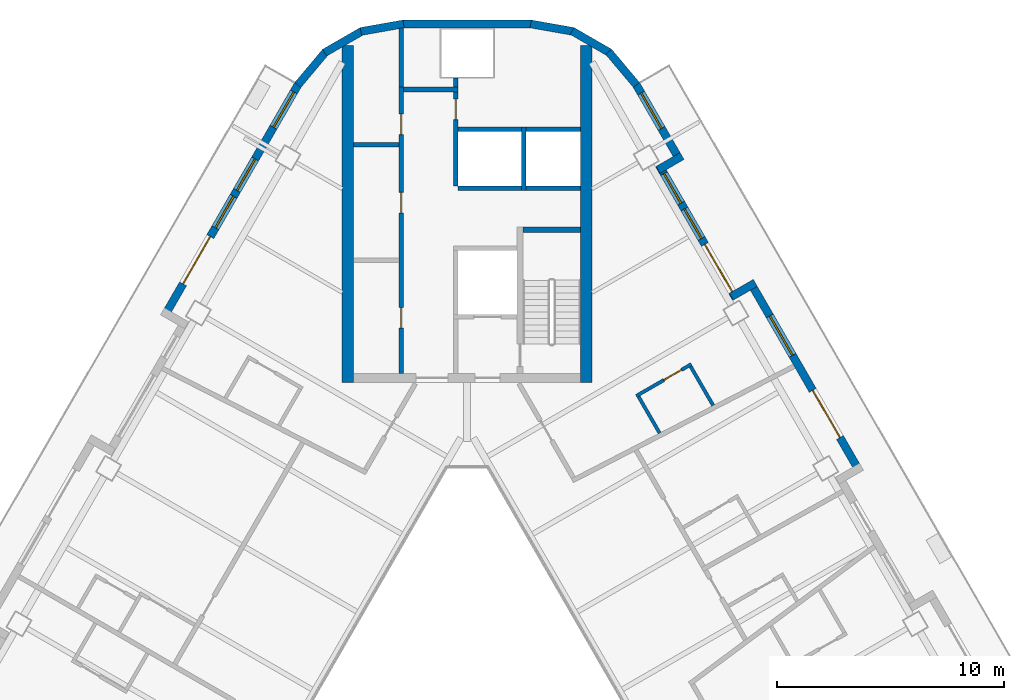
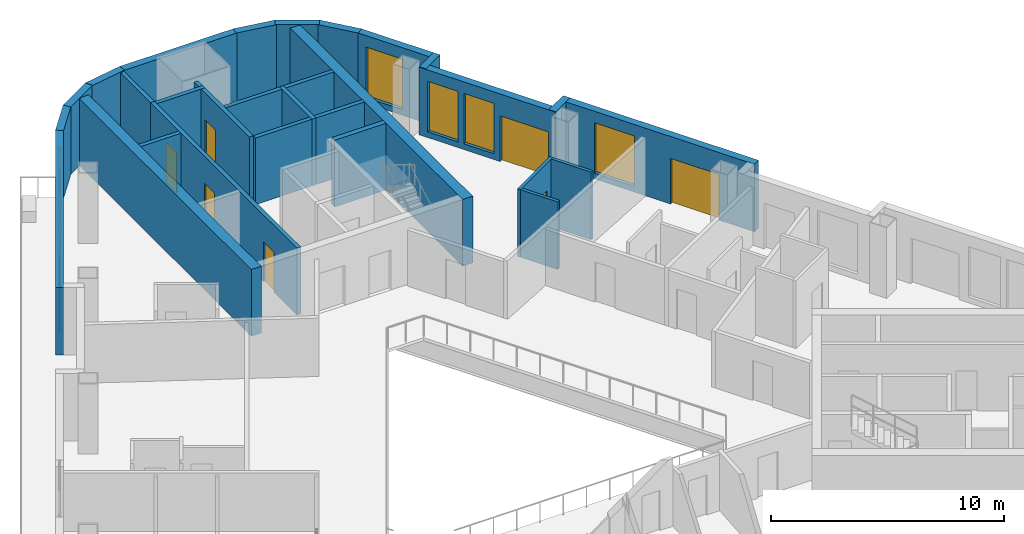
# One storey, part 7 of 14: 30 walls, 8 doors, 7 windows, 15 openings.
"""IFC4 building model written with IfcOpenShell, lengths in metres."""

from ifc_helpers import new_model, si_unit, direction, frame, frame_2d, origin, place, context, subcontext, project, spatial, rectangle, extrude, material, layer, layer_set, type_object, element, fill, save


model = new_model("IFC4")

# Units and contexts
model_context = context("Model", 3, precision=1e-05, world=origin(), true_north=direction((0.0, 1.0)))
body_context = subcontext(model_context, "Body", "Model", "MODEL_VIEW")
ifc_project = project(units=[si_unit("LENGTHUNIT", "METRE"), si_unit("AREAUNIT", "SQUARE_METRE"), si_unit("VOLUMEUNIT", "CUBIC_METRE"), si_unit("PLANEANGLEUNIT", "RADIAN"), si_unit("MASSUNIT", "GRAM", prefix="KILO")], contexts=[model_context])

# Site, building, storey
site_placement = place(None, origin())
site = spatial("IfcSite", under=ifc_project, at=site_placement, CompositionType="ELEMENT")
building_placement = place(site_placement, origin())
building = spatial("IfcBuilding", under=site, at=building_placement, Name="Apuvela Tower Hotel", CompositionType="ELEMENT")
storey_placement = place(building_placement, frame((0.0, 0.0, 172.5)))
storey = spatial("IfcBuildingStorey", under=building, at=storey_placement, Name="L41", CompositionType="ELEMENT", Elevation=172.5)

# Walls
ifc_material_1 = material(Name="Concrete C50/60", Category="concrete")
ifc_layer_1 = layer(ifc_material_1, 0.5)
ifc_layer_set_1 = layer_set([ifc_layer_1], Name="COR-WALL-CORE-500")
wall_type_1 = type_object("IfcWallType", Name="COR-WALL-CORE-500", PredefinedType="SHEAR", material=ifc_layer_set_1)
for number, where, z_axis, x_axis, name in (
    (1, (5.25, 12.89990234375, 0.0), (0.0, 0.0, 1.0), (0.0, 1.0, 0.0), "Core wall N"),
    (2, (-5.25, 12.89990234375, 0.0), (0.0, 0.0, 1.0), (0.0, 1.0, 0.0), "Core wall N"),
):
    element("IfcWall", number, at=place(storey_placement, frame(where, z_axis=z_axis, x_axis=x_axis)), inside=storey, type_object=wall_type_1, Name=name, PredefinedType="SHEAR", context=body_context, shape_type="SweptSolid", body=[
        extrude(rectangle(XDim=14.8369140625, YDim=0.5, at=frame_2d((7.41845703125, 0.0))), origin(), (0.0, 0.0, 1.0), 3.5),
    ])
ifc_material_2 = material(Name="Blockwork 200 mm plastered", Category="masonry")
ifc_layer_2 = layer(ifc_material_2, 0.199951171875)
ifc_layer_set_2 = layer_set([ifc_layer_2], Name="COR-WALL-PART-200")
wall_type_2 = type_object("IfcWallType", Name="COR-WALL-PART-200", PredefinedType="PARTITIONING", material=ifc_layer_set_2)
wall_1_placement = place(storey_placement, frame((5.0, 21.449951171875, 0.0), z_axis=(0.0, 0.0, 1.0), x_axis=(-1.0, 0.0, 0.0)))
element("IfcWall", 3, at=wall_1_placement, inside=storey, type_object=wall_type_2, Name="Partition N", PredefinedType="PARTITIONING", context=body_context, shape_type="SweptSolid", body=[
    extrude(rectangle(XDim=2.39990234375, YDim=0.199951171875, at=frame_2d((1.199951171875, 0.0))), origin(), (0.0, 0.0, 1.0), 3.5),
])
wall_2_placement = place(storey_placement, frame((2.39990234375, 21.449951171875, 0.0), z_axis=(0.0, 0.0, 1.0), x_axis=(-1.0, 0.0, 0.0)))
element("IfcWall", 4, at=wall_2_placement, inside=storey, type_object=wall_type_2, Name="Partition N", PredefinedType="PARTITIONING", context=body_context, shape_type="SweptSolid", body=[
    extrude(rectangle(XDim=2.7998046875, YDim=0.199951171875, at=frame_2d((1.39990234375, 0.0))), origin(), (0.0, 0.0, 1.0), 3.5),
])

# Wall, openings, doors
ifc_layer_3 = layer(ifc_material_1, 0.199951171875)
ifc_layer_set_3 = layer_set([ifc_layer_3], Name="COR-WALL-SHAFT-200")
wall_type_3 = type_object("IfcWallType", Name="COR-WALL-SHAFT-200", PredefinedType="SHEAR", material=ifc_layer_set_3)
wall_3_placement = place(storey_placement, frame((-2.89990234375, 13.300048828125, 0.0), z_axis=(0.0, 0.0, 1.0), x_axis=(0.0, 1.0, 0.0)))
wall_3 = element("IfcWall", 5, at=wall_3_placement, inside=storey, type_object=wall_type_3, Name="Shaft wall N", PredefinedType="SHEAR", context=body_context, shape_type="SweptSolid", body=[
    extrude(rectangle(XDim=12.599853515625, YDim=0.199951171875, at=frame_2d((6.2998046875, 0.0))), origin(), (0.0, 0.0, 1.0), 3.5),
])
opening_1_placement = place(wall_3_placement, frame((1.989990234375, 0.0, 0.0)))
opening_1 = element("IfcOpeningElement", 6, at=opening_1_placement, cuts=wall_3, Name="Opening N-RE1", PredefinedType="OPENING", context=body_context, shape_type="SweptSolid", body=[
    extrude(rectangle(XDim=0.89990234375, YDim=2.10009765625, at=frame_2d((0.449951171875, 1.050048828125))), frame((0.0, 0.10986328125, 0.0), z_axis=(0.0, -1.0, 0.0), x_axis=(1.0, 0.0, 0.0)), (0.0, 0.0, 1.0), 0.219970703125),
])
opening_2_placement = place(wall_3_placement, frame((7.070068359375, 0.0, 0.0)))
opening_2 = element("IfcOpeningElement", 7, at=opening_2_placement, cuts=wall_3, Name="Opening N-RE3", PredefinedType="OPENING", context=body_context, shape_type="SweptSolid", body=[
    extrude(rectangle(XDim=0.89990234375, YDim=2.10009765625, at=frame_2d((0.449951171875, 1.050048828125))), frame((0.0, 0.10986328125, 0.0), z_axis=(0.0, -1.0, 0.0), x_axis=(1.0, 0.0, 0.0)), (0.0, 0.0, 1.0), 0.219970703125),
])
opening_3_placement = place(wall_3_placement, frame((10.510009765625, 0.0, 0.0)))
opening_3 = element("IfcOpeningElement", 8, at=opening_3_placement, cuts=wall_3, Name="Opening N-REP", PredefinedType="OPENING", context=body_context, shape_type="SweptSolid", body=[
    extrude(rectangle(XDim=0.89990234375, YDim=2.10009765625, at=frame_2d((0.449951171875, 1.050048828125))), frame((0.0, 0.10986328125, 0.0), z_axis=(0.0, -1.0, 0.0), x_axis=(1.0, 0.0, 0.0)), (0.0, 0.0, 1.0), 0.219970703125),
])
ifc_material_3 = material(Name="Steel fire door, powder coated", Category="steel")
door_type_1 = type_object("IfcDoorType", Name="COR-DR-900", OperationType="NOTDEFINED", PredefinedType="DOOR", material=ifc_material_3)
door_1_placement = place(opening_1_placement, origin())
door_1 = element("IfcDoor", 9, at=door_1_placement, inside=storey, type_object=door_type_1, Name="Store door N-RE1", OperationType="SINGLE_SWING_LEFT", OverallHeight=2.10009765625, OverallWidth=0.89990234375, PredefinedType="DOOR", context=body_context, shape_type="SweptSolid", body=[
    extrude(rectangle(XDim=0.89990234375, YDim=2.10009765625, at=frame_2d((0.449951171875, 1.050048828125))), frame((0.0, 0.02490234375, 0.0), z_axis=(0.0, -1.0, 0.0), x_axis=(1.0, 0.0, 0.0)), (0.0, 0.0, 1.0), 0.050048828125),
])
fill(opening_1, door_1)
door_2_placement = place(opening_2_placement, origin())
door_2 = element("IfcDoor", 10, at=door_2_placement, inside=storey, type_object=door_type_1, Name="Store door N-RE3", OperationType="SINGLE_SWING_LEFT", OverallHeight=2.10009765625, OverallWidth=0.89990234375, PredefinedType="DOOR", context=body_context, shape_type="SweptSolid", body=[
    extrude(rectangle(XDim=0.89990234375, YDim=2.10009765625, at=frame_2d((0.449951171875, 1.050048828125))), frame((0.0, 0.02490234375, 0.0), z_axis=(0.0, -1.0, 0.0), x_axis=(1.0, 0.0, 0.0)), (0.0, 0.0, 1.0), 0.050048828125),
])
fill(opening_2, door_2)
door_3_placement = place(opening_3_placement, origin())
door_3 = element("IfcDoor", 11, at=door_3_placement, inside=storey, type_object=door_type_1, Name="Store door N-REP", OperationType="SINGLE_SWING_RIGHT", OverallHeight=2.10009765625, OverallWidth=0.89990234375, PredefinedType="DOOR", context=body_context, shape_type="SweptSolid", body=[
    extrude(rectangle(XDim=0.89990234375, YDim=2.10009765625, at=frame_2d((0.449951171875, 1.050048828125))), frame((0.0, 0.02490234375, 0.0), z_axis=(0.0, -1.0, 0.0), x_axis=(1.0, 0.0, 0.0)), (0.0, 0.0, 1.0), 0.050048828125),
])
fill(opening_3, door_3)

# Wall
wall_4_placement = place(storey_placement, frame((-0.39990234375, 25.800048828125, 0.0), z_axis=(0.0, 0.0, 1.0), x_axis=(-1.0, 0.0, 0.0)))
element("IfcWall", 12, at=wall_4_placement, inside=storey, type_object=wall_type_3, Name="Shaft wall N", PredefinedType="SHEAR", context=body_context, shape_type="SweptSolid", body=[
    extrude(rectangle(XDim=2.400146484375, YDim=0.199951171875, at=frame_2d((1.2001953125, 0.0))), origin(), (0.0, 0.0, 1.0), 3.5),
])

# Wall, opening, door
wall_5_placement = place(storey_placement, frame((-0.5, 21.550048828125, 0.0), z_axis=(0.0, 0.0, 1.0), x_axis=(0.0, 1.0, 0.0)))
wall_5 = element("IfcWall", 13, at=wall_5_placement, inside=storey, type_object=wall_type_3, Name="Shaft wall N", PredefinedType="SHEAR", context=body_context, shape_type="SweptSolid", body=[
    extrude(rectangle(XDim=4.14990234375, YDim=0.199951171875, at=frame_2d((2.074951171875, 0.0))), origin(), (0.0, 0.0, 1.0), 3.5),
])
opening_4_placement = place(wall_5_placement, frame((2.925048828125, 0.0, 0.0)))
opening_4 = element("IfcOpeningElement", 14, at=opening_4_placement, cuts=wall_5, Name="Opening N-RSP", PredefinedType="OPENING", context=body_context, shape_type="SweptSolid", body=[
    extrude(rectangle(XDim=0.89990234375, YDim=2.10009765625, at=frame_2d((0.449951171875, 1.050048828125))), frame((0.0, 0.10986328125, 0.0), z_axis=(0.0, -1.0, 0.0), x_axis=(1.0, 0.0, 0.0)), (0.0, 0.0, 1.0), 0.219970703125),
])
door_4_placement = place(opening_4_placement, frame((0.89990234375, 0.0, 0.0), z_axis=(0.0, 0.0, 1.0), x_axis=(-1.0, 0.0, 0.0)))
door_4 = element("IfcDoor", 15, at=door_4_placement, inside=storey, type_object=door_type_1, Name="Store door N-RSP", OperationType="SINGLE_SWING_LEFT", OverallHeight=2.10009765625, OverallWidth=0.89990234375, PredefinedType="DOOR", context=body_context, shape_type="SweptSolid", body=[
    extrude(rectangle(XDim=0.89990234375, YDim=2.10009765625, at=frame_2d((0.449951171875, 1.050048828125))), frame((0.0, 0.02490234375, 0.0), z_axis=(0.0, -1.0, 0.0), x_axis=(1.0, 0.0, 0.0)), (0.0, 0.0, 1.0), 0.050048828125),
])
fill(opening_4, door_4)

# Walls
wall_6_placement = place(storey_placement, frame((-3.0, 23.360107421875, 0.0), z_axis=(0.0, 0.0, 1.0), x_axis=(-1.0, 0.0, 0.0)))
element("IfcWall", 16, at=wall_6_placement, inside=storey, type_object=wall_type_3, Name="Shaft wall N", PredefinedType="SHEAR", context=body_context, shape_type="SweptSolid", body=[
    extrude(rectangle(XDim=2.0, YDim=0.199951171875, at=frame_2d((1.0, 0.0))), origin(), (0.0, 0.0, 1.0), 3.5),
])
wall_7_placement = place(storey_placement, frame((-0.5, 25.89990234375, 0.0), z_axis=(0.0, 0.0, 1.0), x_axis=(0.0, 1.0, 0.0)))
element("IfcWall", 17, at=wall_7_placement, inside=storey, type_object=wall_type_3, Name="Shaft wall N", PredefinedType="SHEAR", context=body_context, shape_type="SweptSolid", body=[
    extrude(rectangle(XDim=0.400146484375, YDim=0.199951171875, at=frame_2d((0.2001953125, 0.0))), origin(), (0.0, 0.0, 1.0), 3.5),
])
wall_8_placement = place(storey_placement, frame((-2.89990234375, 25.89990234375, 0.0), z_axis=(0.0, 0.0, 1.0), x_axis=(0.0, 1.0, 0.0)))
element("IfcWall", 18, at=wall_8_placement, inside=storey, type_object=wall_type_3, Name="Shaft wall N", PredefinedType="SHEAR", context=body_context, shape_type="SweptSolid", body=[
    extrude(rectangle(XDim=2.60009765625, YDim=0.199951171875, at=frame_2d((1.300048828125, 0.0))), origin(), (0.0, 0.0, 1.0), 3.5),
])
wall_9_placement = place(storey_placement, frame((2.5, 21.35009765625, 0.0), z_axis=(0.0, 0.0, 1.0), x_axis=(0.0, 1.0, 0.0)))
element("IfcWall", 19, at=wall_9_placement, inside=storey, type_object=wall_type_3, Name="Shaft wall N", PredefinedType="SHEAR", context=body_context, shape_type="SweptSolid", body=[
    extrude(rectangle(XDim=2.7998046875, YDim=0.199951171875, at=frame_2d((1.39990234375, 0.0))), origin(), (0.0, 0.0, 1.0), 3.5),
])
wall_10_placement = place(storey_placement, frame((5.0, 24.050048828125, 0.0), z_axis=(0.0, 0.0, 1.0), x_axis=(-1.0, 0.0, 0.0)))
element("IfcWall", 20, at=wall_10_placement, inside=storey, type_object=wall_type_3, Name="Shaft wall N", PredefinedType="SHEAR", context=body_context, shape_type="SweptSolid", body=[
    extrude(rectangle(XDim=2.39990234375, YDim=0.199951171875, at=frame_2d((1.199951171875, 0.0))), origin(), (0.0, 0.0, 1.0), 3.5),
])
wall_11_placement = place(storey_placement, frame((2.39990234375, 24.050048828125, 0.0), z_axis=(0.0, 0.0, 1.0), x_axis=(-1.0, 0.0, 0.0)))
element("IfcWall", 21, at=wall_11_placement, inside=storey, type_object=wall_type_3, Name="Shaft wall N", PredefinedType="SHEAR", context=body_context, shape_type="SweptSolid", body=[
    extrude(rectangle(XDim=2.7998046875, YDim=0.199951171875, at=frame_2d((1.39990234375, 0.0))), origin(), (0.0, 0.0, 1.0), 3.5),
])
ifc_layer_4 = layer(ifc_material_1, 0.25)
ifc_layer_set_4 = layer_set([ifc_layer_4], Name="COR-WALL-STAIR-250")
wall_type_4 = type_object("IfcWallType", Name="COR-WALL-STAIR-250", PredefinedType="SHEAR", material=ifc_layer_set_4)
wall_12_placement = place(storey_placement, frame((5.0, 19.625, 0.0), z_axis=(0.0, 0.0, 1.0), x_axis=(-1.0, 0.0, 0.0)))
element("IfcWall", 22, at=wall_12_placement, inside=storey, type_object=wall_type_4, Name="Stair wall N", PredefinedType="SHEAR", context=body_context, shape_type="SweptSolid", body=[
    extrude(rectangle(XDim=2.550048828125, YDim=0.25, at=frame_2d((1.27490234375, 0.0))), origin(), (0.0, 0.0, 1.0), 3.5),
])

# Wall, openings, door, windows
ifc_material_4 = material(Name="Concrete C40/50, dark pigmented precast panel", Category="concrete")
ifc_layer_5 = layer(ifc_material_4, 0.35009765625)
ifc_layer_set_5 = layer_set([ifc_layer_5], Name="ENV-WALL-350")
wall_type_5 = type_object("IfcWallType", Name="ENV-WALL-350", PredefinedType="SOLIDWALL", material=ifc_layer_set_5)
wall_13_placement = place(storey_placement, frame((-7.440673828125, 26.0224609375, 0.0), z_axis=(0.0, 0.0, 1.0), x_axis=(-0.499992533062, -0.86602971478, 0.0)))
wall_13 = element("IfcWall", 23, at=wall_13_placement, inside=storey, type_object=wall_type_5, Name="External wall L41-01", PredefinedType="SOLIDWALL", context=body_context, shape_type="SweptSolid", body=[
    extrude(rectangle(XDim=11.815673828125, YDim=0.35009765625, at=frame_2d((5.90771484375, 0.0))), origin(), (0.0, 0.0, 1.0), 3.550048828125),
])
opening_5_placement = place(wall_13_placement, frame((0.381103515625, 0.0, 0.300048828125)))
opening_5 = element("IfcOpeningElement", 24, at=opening_5_placement, cuts=wall_13, Name="Opening WN18", PredefinedType="OPENING", context=body_context, shape_type="SweptSolid", body=[
    extrude(rectangle(XDim=1.800048828125, YDim=2.64990234375, at=frame_2d((0.89990234375, 1.324951171875))), frame((0.0, 0.18505859375, 0.0), z_axis=(0.0, -1.0, 0.0), x_axis=(1.0, 0.0, 0.0)), (0.0, 0.0, 1.0), 0.3701171875),
])
opening_6_placement = place(wall_13_placement, frame((7.740478515625, 0.0, 0.0)))
opening_6 = element("IfcOpeningElement", 25, at=opening_6_placement, cuts=wall_13, Name="Opening BD24", PredefinedType="OPENING", context=body_context, shape_type="SweptSolid", body=[
    extrude(rectangle(XDim=2.39990234375, YDim=2.39990234375, at=frame_2d((1.199951171875, 1.199951171875))), frame((0.0, 0.18505859375, 0.0), z_axis=(0.0, -1.0, 0.0), x_axis=(1.0, 0.0, 0.0)), (0.0, 0.0, 1.0), 0.3701171875),
])
opening_7_placement = place(wall_13_placement, frame((3.791015625, 0.0, 0.300048828125)))
opening_7 = element("IfcOpeningElement", 26, at=opening_7_placement, cuts=wall_13, Name="Opening WN16", PredefinedType="OPENING", context=body_context, shape_type="SweptSolid", body=[
    extrude(rectangle(XDim=1.60009765625, YDim=2.64990234375, at=frame_2d((0.800048828125, 1.324951171875))), frame((0.0, 0.18505859375, 0.0), z_axis=(0.0, -1.0, 0.0), x_axis=(1.0, 0.0, 0.0)), (0.0, 0.0, 1.0), 0.3701171875),
])
opening_8_placement = place(wall_13_placement, frame((5.69091796875, 0.0, 0.300048828125)))
opening_8 = element("IfcOpeningElement", 27, at=opening_8_placement, cuts=wall_13, Name="Opening WN16", PredefinedType="OPENING", context=body_context, shape_type="SweptSolid", body=[
    extrude(rectangle(XDim=1.60009765625, YDim=2.64990234375, at=frame_2d((0.800048828125, 1.324951171875))), frame((0.0, 0.18505859375, 0.0), z_axis=(0.0, -1.0, 0.0), x_axis=(1.0, 0.0, 0.0)), (0.0, 0.0, 1.0), 0.3701171875),
])
ifc_material_5 = material(Name="Aluminium 6063-T6, dark bronze anodised frame with dark tinted laminated glass", Category="aluminium")
door_type_2 = type_object("IfcDoorType", Name="ENV-DOOR-BALCONY-2400x2400", OperationType="SLIDING_TO_LEFT", PredefinedType="DOOR", material=ifc_material_5)
door_5_placement = place(opening_6_placement, frame((2.39990234375, 0.0, 0.0), z_axis=(0.0, 0.0, 1.0), x_axis=(-1.0, 0.0, 0.0)))
door_5 = element("IfcDoor", 28, at=door_5_placement, inside=storey, type_object=door_type_2, Name="Balcony door BD24", OperationType="SLIDING_TO_LEFT", OverallHeight=2.39990234375, OverallWidth=2.39990234375, PredefinedType="DOOR", context=body_context, shape_type="SweptSolid", body=[
    extrude(rectangle(XDim=2.39990234375, YDim=2.39990234375, at=frame_2d((1.199951171875, 1.199951171875))), frame((0.0, 0.02490234375, 0.0), z_axis=(0.0, -1.0, 0.0), x_axis=(1.0, 0.0, 0.0)), (0.0, 0.0, 1.0), 0.050048828125),
])
fill(opening_6, door_5)
ifc_material_6 = material(Name="Glass, dark tinted laminated insulated glazing unit", Category="glass")
window_type_1 = type_object("IfcWindowType", Name="ENV-WIN-1600x2650", PartitioningType="SINGLE_PANEL", PredefinedType="WINDOW", material=ifc_material_6)
window_1_placement = place(opening_7_placement, origin())
window_1 = element("IfcWindow", 29, at=window_1_placement, inside=storey, type_object=window_type_1, Name="Window WN16", OverallHeight=2.64990234375, OverallWidth=1.60009765625, PartitioningType="SINGLE_PANEL", PredefinedType="WINDOW", context=body_context, shape_type="SweptSolid", body=[
    extrude(rectangle(XDim=1.60009765625, YDim=2.64990234375, at=frame_2d((0.800048828125, 1.324951171875))), frame((0.0, 0.030029296875, 0.0), z_axis=(0.0, -1.0, 0.0), x_axis=(1.0, 0.0, 0.0)), (0.0, 0.0, 1.0), 0.06005859375),
])
fill(opening_7, window_1)
window_2_placement = place(opening_8_placement, origin())
window_2 = element("IfcWindow", 30, at=window_2_placement, inside=storey, type_object=window_type_1, Name="Window WN16", OverallHeight=2.64990234375, OverallWidth=1.60009765625, PartitioningType="SINGLE_PANEL", PredefinedType="WINDOW", context=body_context, shape_type="SweptSolid", body=[
    extrude(rectangle(XDim=1.60009765625, YDim=2.64990234375, at=frame_2d((0.800048828125, 1.324951171875))), frame((0.0, 0.030029296875, 0.0), z_axis=(0.0, -1.0, 0.0), x_axis=(1.0, 0.0, 0.0)), (0.0, 0.0, 1.0), 0.06005859375),
])
fill(opening_8, window_2)
window_type_2 = type_object("IfcWindowType", Name="ENV-WIN-1800x2650", PartitioningType="SINGLE_PANEL", PredefinedType="WINDOW", material=ifc_material_6)
window_3_placement = place(opening_5_placement, origin())
window_3 = element("IfcWindow", 31, at=window_3_placement, inside=storey, type_object=window_type_2, Name="Window WN18", OverallHeight=2.64990234375, OverallWidth=1.800048828125, PartitioningType="SINGLE_PANEL", PredefinedType="WINDOW", context=body_context, shape_type="SweptSolid", body=[
    extrude(rectangle(XDim=1.800048828125, YDim=2.64990234375, at=frame_2d((0.89990234375, 1.324951171875))), frame((0.0, 0.030029296875, 0.0), z_axis=(0.0, -1.0, 0.0), x_axis=(1.0, 0.0, 0.0)), (0.0, 0.0, 1.0), 0.06005859375),
])
fill(opening_5, window_3)

# Wall, openings, door, window
wall_14_placement = place(storey_placement, frame((17.298583984375, 8.947998046875, 0.0), z_axis=(0.0, 0.0, 1.0), x_axis=(-0.500010041276, 0.866019606374, 0.0)))
wall_14 = element("IfcWall", 32, at=wall_14_placement, inside=storey, type_object=wall_type_5, Name="External wall L41-37", PredefinedType="SOLIDWALL", context=body_context, shape_type="SweptSolid", body=[
    extrude(rectangle(XDim=9.699951171875, YDim=0.35009765625, at=frame_2d((4.85009765625, 0.0))), origin(), (0.0, 0.0, 1.0), 3.550048828125),
])
opening_9_placement = place(wall_14_placement, frame((1.761962890625, 0.0, 0.0)))
opening_9 = element("IfcOpeningElement", 33, at=opening_9_placement, cuts=wall_14, Name="Opening BD24", PredefinedType="OPENING", context=body_context, shape_type="SweptSolid", body=[
    extrude(rectangle(XDim=2.39990234375, YDim=2.39990234375, at=frame_2d((1.199951171875, 1.199951171875))), frame((0.0, 0.18505859375, 0.0), z_axis=(0.0, -1.0, 0.0), x_axis=(1.0, 0.0, 0.0)), (0.0, 0.0, 1.0), 0.3701171875),
])
opening_10_placement = place(wall_14_placement, frame((5.940673828125, 0.0, 0.300048828125)))
opening_10 = element("IfcOpeningElement", 34, at=opening_10_placement, cuts=wall_14, Name="Opening WN20", PredefinedType="OPENING", context=body_context, shape_type="SweptSolid", body=[
    extrude(rectangle(XDim=2.0, YDim=2.64990234375, at=frame_2d((1.0, 1.324951171875))), frame((0.0, 0.18505859375, 0.0), z_axis=(0.0, -1.0, 0.0), x_axis=(1.0, 0.0, 0.0)), (0.0, 0.0, 1.0), 0.3701171875),
])
door_6_placement = place(opening_9_placement, frame((2.39990234375, 0.0, 0.0), z_axis=(0.0, 0.0, 1.0), x_axis=(-1.0, 0.0, 0.0)))
door_6 = element("IfcDoor", 35, at=door_6_placement, inside=storey, type_object=door_type_2, Name="Balcony door BD24", OperationType="SLIDING_TO_LEFT", OverallHeight=2.39990234375, OverallWidth=2.39990234375, PredefinedType="DOOR", context=body_context, shape_type="SweptSolid", body=[
    extrude(rectangle(XDim=2.39990234375, YDim=2.39990234375, at=frame_2d((1.199951171875, 1.199951171875))), frame((0.0, 0.02490234375, 0.0), z_axis=(0.0, -1.0, 0.0), x_axis=(1.0, 0.0, 0.0)), (0.0, 0.0, 1.0), 0.050048828125),
])
fill(opening_9, door_6)
window_type_3 = type_object("IfcWindowType", Name="ENV-WIN-2000x2650", PartitioningType="SINGLE_PANEL", PredefinedType="WINDOW", material=ifc_material_6)
window_4_placement = place(opening_10_placement, origin())
window_4 = element("IfcWindow", 36, at=window_4_placement, inside=storey, type_object=window_type_3, Name="Window WN20", OverallHeight=2.64990234375, OverallWidth=2.0, PartitioningType="SINGLE_PANEL", PredefinedType="WINDOW", context=body_context, shape_type="SweptSolid", body=[
    extrude(rectangle(XDim=2.0, YDim=2.64990234375, at=frame_2d((1.0, 1.324951171875))), frame((0.0, 0.030029296875, 0.0), z_axis=(0.0, -1.0, 0.0), x_axis=(1.0, 0.0, 0.0)), (0.0, 0.0, 1.0), 0.06005859375),
])
fill(opening_10, window_4)

# Wall
wall_15_placement = place(storey_placement, frame((12.6875, 17.284423828125, 0.0), z_axis=(0.0, 0.0, 1.0), x_axis=(-0.865955602162, -0.500120880472, 0.0)))
element("IfcWall", 37, at=wall_15_placement, inside=storey, type_object=wall_type_5, Name="External wall L41-38", PredefinedType="SOLIDWALL", context=body_context, shape_type="SweptSolid", body=[
    extrude(rectangle(XDim=1.219970703125, YDim=0.35009765625, at=frame_2d((0.60986328125, 0.0))), origin(), (0.0, 0.0, 1.0), 3.550048828125),
])

# Wall, openings, door, windows
wall_16_placement = place(storey_placement, frame((11.8291015625, 16.621337890625, 0.0), z_axis=(0.0, 0.0, 1.0), x_axis=(-0.500003597184, 0.866023326939, 0.0)))
wall_16 = element("IfcWall", 38, at=wall_16_placement, inside=storey, type_object=wall_type_5, Name="External wall L41-39", PredefinedType="SOLIDWALL", context=body_context, shape_type="SweptSolid", body=[
    extrude(rectangle(XDim=6.740234375, YDim=0.35009765625, at=frame_2d((3.3701171875, 0.0))), origin(), (0.0, 0.0, 1.0), 3.550048828125),
])
opening_11_placement = place(wall_16_placement, frame((0.320068359375, 0.0, 0.0)))
opening_11 = element("IfcOpeningElement", 39, at=opening_11_placement, cuts=wall_16, Name="Opening BD24", PredefinedType="OPENING", context=body_context, shape_type="SweptSolid", body=[
    extrude(rectangle(XDim=2.39990234375, YDim=2.39990234375, at=frame_2d((1.199951171875, 1.199951171875))), frame((0.0, 0.18505859375, 0.0), z_axis=(0.0, -1.0, 0.0), x_axis=(1.0, 0.0, 0.0)), (0.0, 0.0, 1.0), 0.3701171875),
])
opening_12_placement = place(wall_16_placement, frame((3.02001953125, 0.0, 0.300048828125)))
opening_12 = element("IfcOpeningElement", 40, at=opening_12_placement, cuts=wall_16, Name="Opening WN15", PredefinedType="OPENING", context=body_context, shape_type="SweptSolid", body=[
    extrude(rectangle(XDim=1.5, YDim=2.64990234375, at=frame_2d((0.75, 1.324951171875))), frame((0.0, 0.18505859375, 0.0), z_axis=(0.0, -1.0, 0.0), x_axis=(1.0, 0.0, 0.0)), (0.0, 0.0, 1.0), 0.3701171875),
])
opening_13_placement = place(wall_16_placement, frame((4.820068359375, 0.0, 0.300048828125)))
opening_13 = element("IfcOpeningElement", 41, at=opening_13_placement, cuts=wall_16, Name="Opening WN15", PredefinedType="OPENING", context=body_context, shape_type="SweptSolid", body=[
    extrude(rectangle(XDim=1.5, YDim=2.64990234375, at=frame_2d((0.75, 1.324951171875))), frame((0.0, 0.18505859375, 0.0), z_axis=(0.0, -1.0, 0.0), x_axis=(1.0, 0.0, 0.0)), (0.0, 0.0, 1.0), 0.3701171875),
])
door_7_placement = place(opening_11_placement, frame((2.39990234375, 0.0, 0.0), z_axis=(0.0, 0.0, 1.0), x_axis=(-1.0, 0.0, 0.0)))
door_7 = element("IfcDoor", 42, at=door_7_placement, inside=storey, type_object=door_type_2, Name="Balcony door BD24", OperationType="SLIDING_TO_LEFT", OverallHeight=2.39990234375, OverallWidth=2.39990234375, PredefinedType="DOOR", context=body_context, shape_type="SweptSolid", body=[
    extrude(rectangle(XDim=2.39990234375, YDim=2.39990234375, at=frame_2d((1.199951171875, 1.199951171875))), frame((0.0, 0.02490234375, 0.0), z_axis=(0.0, -1.0, 0.0), x_axis=(1.0, 0.0, 0.0)), (0.0, 0.0, 1.0), 0.050048828125),
])
fill(opening_11, door_7)
window_type_4 = type_object("IfcWindowType", Name="ENV-WIN-1500x2650", PartitioningType="SINGLE_PANEL", PredefinedType="WINDOW", material=ifc_material_6)
window_5_placement = place(opening_12_placement, origin())
window_5 = element("IfcWindow", 43, at=window_5_placement, inside=storey, type_object=window_type_4, Name="Window WN15", OverallHeight=2.64990234375, OverallWidth=1.5, PartitioningType="SINGLE_PANEL", PredefinedType="WINDOW", context=body_context, shape_type="SweptSolid", body=[
    extrude(rectangle(XDim=1.5, YDim=2.64990234375, at=frame_2d((0.75, 1.324951171875))), frame((0.0, 0.030029296875, 0.0), z_axis=(0.0, -1.0, 0.0), x_axis=(1.0, 0.0, 0.0)), (0.0, 0.0, 1.0), 0.06005859375),
])
fill(opening_12, window_5)
window_6_placement = place(opening_13_placement, origin())
window_6 = element("IfcWindow", 44, at=window_6_placement, inside=storey, type_object=window_type_4, Name="Window WN15", OverallHeight=2.64990234375, OverallWidth=1.5, PartitioningType="SINGLE_PANEL", PredefinedType="WINDOW", context=body_context, shape_type="SweptSolid", body=[
    extrude(rectangle(XDim=1.5, YDim=2.64990234375, at=frame_2d((0.75, 1.324951171875))), frame((0.0, 0.030029296875, 0.0), z_axis=(0.0, -1.0, 0.0), x_axis=(1.0, 0.0, 0.0)), (0.0, 0.0, 1.0), 0.06005859375),
])
fill(opening_13, window_6)

# Wall
wall_17_placement = place(storey_placement, frame((8.406005859375, 22.26025390625, 0.0), z_axis=(0.0, 0.0, 1.0), x_axis=(0.865955602162, 0.500120880472, 0.0)))
element("IfcWall", 45, at=wall_17_placement, inside=storey, type_object=wall_type_5, Name="External wall L41-40", PredefinedType="SOLIDWALL", context=body_context, shape_type="SweptSolid", body=[
    extrude(rectangle(XDim=1.219970703125, YDim=0.35009765625, at=frame_2d((0.60986328125, 0.0))), origin(), (0.0, 0.0, 1.0), 3.550048828125),
])

# Wall, opening, window
wall_18_placement = place(storey_placement, frame((9.3984375, 22.631103515625, 0.0), z_axis=(0.0, 0.0, 1.0), x_axis=(-0.499954521343, 0.866051659307, 0.0)))
wall_18 = element("IfcWall", 46, at=wall_18_placement, inside=storey, type_object=wall_type_5, Name="External wall L41-41", PredefinedType="SOLIDWALL", context=body_context, shape_type="SweptSolid", body=[
    extrude(rectangle(XDim=3.915771484375, YDim=0.35009765625, at=frame_2d((1.9580078125, 0.0))), origin(), (0.0, 0.0, 1.0), 3.550048828125),
])
opening_14_placement = place(wall_18_placement, frame((1.67529296875, 0.0, 0.300048828125)))
opening_14 = element("IfcOpeningElement", 47, at=opening_14_placement, cuts=wall_18, Name="Opening WN18", PredefinedType="OPENING", context=body_context, shape_type="SweptSolid", body=[
    extrude(rectangle(XDim=1.800048828125, YDim=2.64990234375, at=frame_2d((0.89990234375, 1.324951171875))), frame((0.0, 0.18505859375, 0.0), z_axis=(0.0, -1.0, 0.0), x_axis=(1.0, 0.0, 0.0)), (0.0, 0.0, 1.0), 0.3701171875),
])
window_7_placement = place(opening_14_placement, origin())
window_7 = element("IfcWindow", 48, at=window_7_placement, inside=storey, type_object=window_type_2, Name="Window WN18", OverallHeight=2.64990234375, OverallWidth=1.800048828125, PartitioningType="SINGLE_PANEL", PredefinedType="WINDOW", context=body_context, shape_type="SweptSolid", body=[
    extrude(rectangle(XDim=1.800048828125, YDim=2.64990234375, at=frame_2d((0.89990234375, 1.324951171875))), frame((0.0, 0.030029296875, 0.0), z_axis=(0.0, -1.0, 0.0), x_axis=(1.0, 0.0, 0.0)), (0.0, 0.0, 1.0), 0.06005859375),
])
fill(opening_14, window_7)

# Walls
wall_19_placement = place(storey_placement, frame((7.4580078125, 25.99755859375, 0.0), z_axis=(0.0, 0.0, 1.0), x_axis=(-0.642808304945, 0.766027077259, 0.0)))
element("IfcWall", 49, at=wall_19_placement, inside=storey, type_object=wall_type_5, Name="External wall L41-42", PredefinedType="SOLIDWALL", context=body_context, shape_type="SweptSolid", body=[
    extrude(rectangle(XDim=1.909912109375, YDim=0.35009765625, at=frame_2d((0.955078125, 0.0))), origin(), (0.0, 0.0, 1.0), 3.550048828125),
])
for number, where, z_axis, x_axis, name in (
    (50, (6.27685546875, 27.421630859375, 0.0), (0.0, 0.0, 1.0), (-0.866032345022, 0.499987977232, 0.0), "External wall L41-43"),
    (51, (4.6796875, 28.35595703125, 0.0), (0.0, 0.0, 1.0), (-0.984798995425, 0.173697837091, 0.0), "External wall L41-44"),
):
    element("IfcWall", number, at=place(storey_placement, frame(where, z_axis=z_axis, x_axis=x_axis)), inside=storey, type_object=wall_type_5, Name=name, PredefinedType="SOLIDWALL", context=body_context, shape_type="SweptSolid", body=[
        extrude(rectangle(XDim=1.91015625, YDim=0.35009765625, at=frame_2d((0.955078125, 0.0))), origin(), (0.0, 0.0, 1.0), 3.550048828125),
    ])
wall_20_placement = place(storey_placement, frame((2.8291015625, 28.68505859375, 0.0), z_axis=(0.0, 0.0, 1.0), x_axis=(-1.0, 0.0, 0.0)))
element("IfcWall", 52, at=wall_20_placement, inside=storey, type_object=wall_type_5, Name="External wall L41-45", PredefinedType="SOLIDWALL", context=body_context, shape_type="SweptSolid", body=[
    extrude(rectangle(XDim=5.658203125, YDim=0.35009765625, at=frame_2d((2.8291015625, 0.0))), origin(), (0.0, 0.0, 1.0), 3.550048828125),
])
for number, where, z_axis, x_axis, name in (
    (53, (-2.798583984375, 28.687744140625, 0.0), (0.0, 0.0, 1.0), (-0.984798995425, -0.173697837091, 0.0), "External wall L41-46"),
    (54, (-4.62255859375, 28.376708984375, 0.0), (0.0, 0.0, 1.0), (-0.866032345022, -0.499987977232, 0.0), "External wall L41-47"),
):
    element("IfcWall", number, at=place(storey_placement, frame(where, z_axis=z_axis, x_axis=x_axis)), inside=storey, type_object=wall_type_5, Name=name, PredefinedType="SOLIDWALL", context=body_context, shape_type="SweptSolid", body=[
        extrude(rectangle(XDim=1.91015625, YDim=0.35009765625, at=frame_2d((0.955078125, 0.0))), origin(), (0.0, 0.0, 1.0), 3.550048828125),
    ])
wall_21_placement = place(storey_placement, frame((-6.230224609375, 27.460693359375, 0.0), z_axis=(0.0, 0.0, 1.0), x_axis=(-0.642808304945, -0.766027077259, 0.0)))
element("IfcWall", 55, at=wall_21_placement, inside=storey, type_object=wall_type_5, Name="External wall L41-48", PredefinedType="SOLIDWALL", context=body_context, shape_type="SweptSolid", body=[
    extrude(rectangle(XDim=1.909912109375, YDim=0.35009765625, at=frame_2d((0.955078125, 0.0))), origin(), (0.0, 0.0, 1.0), 3.550048828125),
])

# Wall, opening, door
ifc_material_7 = material(Name="Moisture-resistant gypsum board wet wall on steel stud", Category="steel")
ifc_layer_6 = layer(ifc_material_7, 0.14990234375)
ifc_layer_set_6 = layer_set([ifc_layer_6], Name="GST-PW3")
wall_type_6 = type_object("IfcWallType", Name="GST-PW3", PredefinedType="PARTITIONING", material=ifc_layer_set_6)
wall_22_placement = place(storey_placement, frame((9.87109375, 13.702392578125, 0.0), z_axis=(0.0, 0.0, 1.0), x_axis=(-0.866034573852, -0.49998411664, 0.0)))
wall_22 = element("IfcWall", 56, at=wall_22_placement, inside=storey, type_object=wall_type_6, Name="L41 partition 34", PredefinedType="PARTITIONING", context=body_context, shape_type="SweptSolid", body=[
    extrude(rectangle(XDim=2.7998046875, YDim=0.14990234375, at=frame_2d((1.39990234375, 0.0))), origin(), (0.0, 0.0, 1.0), 3.550048828125),
])
opening_15_placement = place(wall_22_placement, frame((0.5, 0.0, 0.0)))
opening_15 = element("IfcOpeningElement", 57, at=opening_15_placement, cuts=wall_22, Name="Opening GD15-15", PredefinedType="OPENING", context=body_context, shape_type="SweptSolid", body=[
    extrude(rectangle(XDim=0.89990234375, YDim=2.10009765625, at=frame_2d((0.449951171875, 1.050048828125))), frame((0.0, 0.0849609375, 0.0), z_axis=(0.0, -1.0, 0.0), x_axis=(1.0, 0.0, 0.0)), (0.0, 0.0, 1.0), 0.169921875),
])
ifc_material_8 = material(Name="Timber door leaf in steel frame", Category="steel")
door_type_3 = type_object("IfcDoorType", Name="GST-D2", OperationType="NOTDEFINED", PredefinedType="DOOR", material=ifc_material_8)
door_8_placement = place(opening_15_placement, origin())
door_8 = element("IfcDoor", 58, at=door_8_placement, inside=storey, type_object=door_type_3, Name="Door L41-15", OperationType="SINGLE_SWING_LEFT", OverallHeight=2.10009765625, OverallWidth=0.89990234375, PredefinedType="DOOR", context=body_context, shape_type="SweptSolid", body=[
    extrude(rectangle(XDim=0.89990234375, YDim=2.10009765625, at=frame_2d((0.449951171875, 1.050048828125))), frame((0.0, 0.02490234375, 0.0), z_axis=(0.0, -1.0, 0.0), x_axis=(1.0, 0.0, 0.0)), (0.0, 0.0, 1.0), 0.050048828125),
])
fill(opening_15, door_8)

# Walls
wall_23_placement = place(storey_placement, frame((10.833251953125, 11.88623046875, 0.0), z_axis=(0.0, 0.0, 1.0), x_axis=(-0.500000102728, 0.866025344474, 0.0)))
element("IfcWall", 59, at=wall_23_placement, inside=storey, type_object=wall_type_6, Name="L41 partition 35", PredefinedType="PARTITIONING", context=body_context, shape_type="SweptSolid", body=[
    extrude(rectangle(XDim=1.97900390625, YDim=0.14990234375, at=frame_2d((0.989501953125, 0.0))), origin(), (0.0, 0.0, 1.0), 3.550048828125),
])
wall_24_placement = place(storey_placement, frame((8.4755859375, 10.669921875, 0.0), z_axis=(0.0, 0.0, 1.0), x_axis=(-0.499992292652, 0.866029853578, 0.0)))
element("IfcWall", 60, at=wall_24_placement, inside=storey, type_object=wall_type_6, Name="L41 partition 36", PredefinedType="PARTITIONING", context=body_context, shape_type="SweptSolid", body=[
    extrude(rectangle(XDim=1.853515625, YDim=0.14990234375, at=frame_2d((0.9267578125, 0.0))), origin(), (0.0, 0.0, 1.0), 3.550048828125),
])

save(model, "model.ifc")
